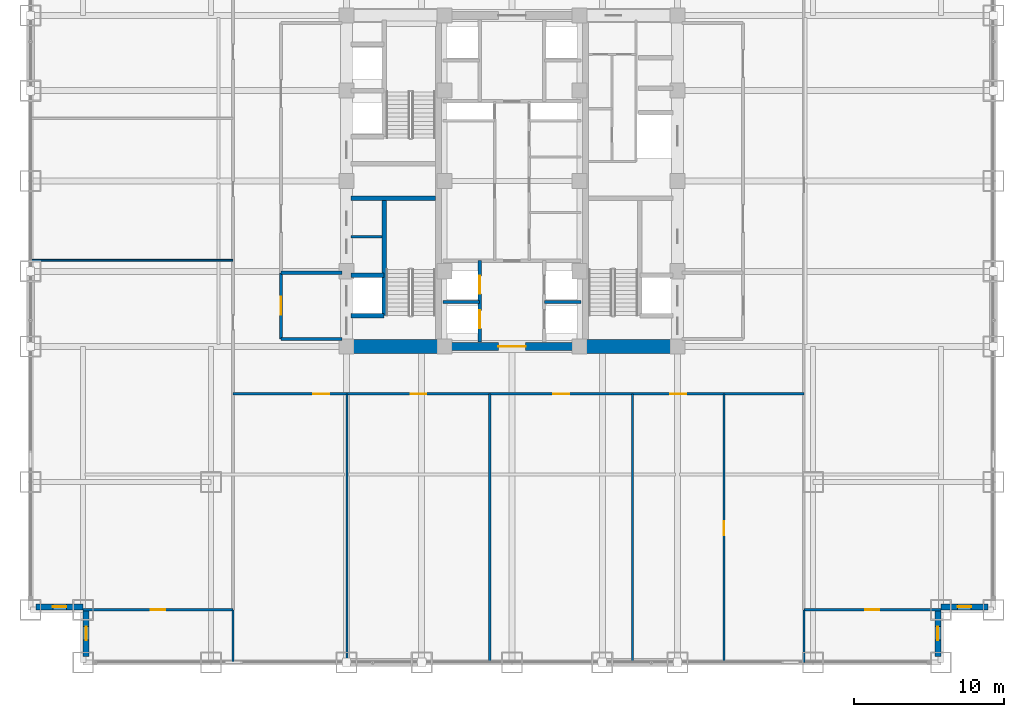
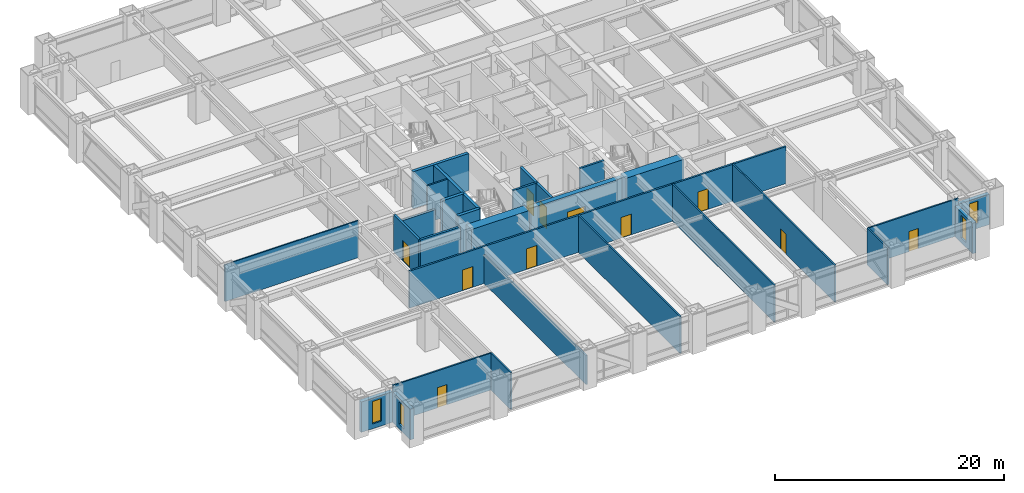
# One storey, part 23 of 27: 28 walls, 11 doors, 4 windows, 15 openings.
"""IFC4 building model written with IfcOpenShell, lengths in metres."""

from ifc_helpers import new_model, si_unit, direction, frame, frame_2d, origin, place, context, subcontext, project, spatial, rectangle, extrude, source, transform, mapped, material, layer, layer_set, type_object, element, fill, save


model = new_model("IFC4")

# Units and contexts
model_context = context("Model", 3, precision=1e-05, world=origin(), true_north=direction((0.0, 1.0)))
body_context = subcontext(model_context, "Body", "Model", "MODEL_VIEW")
ifc_project = project(units=[si_unit("LENGTHUNIT", "METRE"), si_unit("AREAUNIT", "SQUARE_METRE"), si_unit("VOLUMEUNIT", "CUBIC_METRE"), si_unit("PLANEANGLEUNIT", "RADIAN"), si_unit("MASSUNIT", "GRAM", prefix="KILO")], contexts=[model_context])

# Site, building, storey
site_placement = place(None, origin())
site = spatial("IfcSite", under=ifc_project, at=site_placement, CompositionType="ELEMENT")
building_placement = place(site_placement, origin())
building = spatial("IfcBuilding", under=site, at=building_placement, Name="Khorayat Bourse Tower", CompositionType="ELEMENT")
storey_placement = place(building_placement, frame((0.0, 0.0, 53.60009765625)))
storey = spatial("IfcBuildingStorey", under=building, at=storey_placement, Name="L11", CompositionType="ELEMENT", Elevation=53.60009765625)

# Walls
ifc_material_1 = material(Name="Concrete C72/90", Category="concrete")
ifc_layer_1 = layer(ifc_material_1, 0.89990234375)
ifc_layer_set_1 = layer_set([ifc_layer_1], Name="Concrete C72/90")
wall_type_1 = type_object("IfcWallType", Name="WAL-CORE-900", PredefinedType="SHEAR", material=ifc_layer_set_1)
shared_shape_1 = source(origin(), body_context, "Body", "SweptSolid", [
    extrude(rectangle(XDim=5.849853515625, YDim=0.89990234375, at=frame_2d((2.9248046875, 0.0))), origin(), (0.0, 0.0, 1.0), 3.93994140625),
])
for number, where, z_axis, x_axis, name in (
    (1, (-10.699951171875, -11.0, 0.0), (0.0, 0.0, 1.0), (1.0, 0.0, 0.0), "L11 Core Shear Wall PIER-WS"),
    (2, (4.85009765625, -11.0, 0.0), (0.0, 0.0, 1.0), (1.0, 0.0, 0.0), "L11 Core Shear Wall PIER-ES"),
):
    element("IfcWall", number, at=place(storey_placement, frame(where, z_axis=z_axis, x_axis=x_axis)), inside=storey, type_object=wall_type_1, Name=name, PredefinedType="SHEAR", context=body_context, shape_type="MappedRepresentation", body=[
        mapped(shared_shape_1, transform((0.0, 0.0, 0.0), scale=1.0)),
    ])
ifc_material_2 = material(Name="Concrete C50/60", Category="concrete")
ifc_layer_2 = layer(ifc_material_2, 0.300048828125)
ifc_layer_set_2 = layer_set([ifc_layer_2], Name="Concrete C50/60")
wall_type_2 = type_object("IfcWallType", Name="WAL-SHAFT-300", PredefinedType="SHEAR", material=ifc_layer_set_2)
shared_shape_2 = source(origin(), body_context, "Body", "SweptSolid", [
    extrude(rectangle(XDim=5.599853515625, YDim=0.300048828125, at=frame_2d((2.7998046875, 0.0))), origin(), (0.0, 0.0, 1.0), 3.93994140625),
])
wall_1_placement = place(storey_placement, frame((-10.699951171875, -1.14990234375, 0.0), z_axis=(0.0, 0.0, 1.0), x_axis=(1.0, 0.0, 0.0)))
element("IfcWall", 3, at=wall_1_placement, inside=storey, type_object=wall_type_2, Name="L11 Core Shear Wall ST1-DIV", PredefinedType="SHEAR", context=body_context, shape_type="MappedRepresentation", body=[
    mapped(shared_shape_2, transform((0.0, 0.0, 0.0), scale=1.0)),
])

# Wall, opening, door
ifc_material_3 = material(Name="Concrete C52/65", Category="concrete")
ifc_layer_3 = layer(ifc_material_3, 0.5)
ifc_layer_set_3 = layer_set([ifc_layer_3], Name="Concrete C52/65")
wall_type_3 = type_object("IfcWallType", Name="WAL-CORE-500", PredefinedType="SHEAR", material=ifc_layer_set_3)
shared_shape_3 = source(origin(), body_context, "Body", "SweptSolid", [
    extrude(rectangle(XDim=9.2001953125, YDim=0.5, at=frame_2d((4.60009765625, 0.0))), origin(), (0.0, 0.0, 1.0), 3.93994140625),
])
wall_2_placement = place(storey_placement, frame((-4.60009765625, -11.0, 0.0), z_axis=(0.0, 0.0, 1.0), x_axis=(1.0, 0.0, 0.0)))
wall_2 = element("IfcWall", 4, at=wall_2_placement, inside=storey, type_object=wall_type_3, Name="L11 Core Shear Wall CORE-S", PredefinedType="SHEAR", context=body_context, shape_type="MappedRepresentation", body=[
    mapped(shared_shape_3, transform((0.0, 0.0, 0.0), scale=1.0)),
])
shared_shape_4 = source(origin(), body_context, "Body", "SweptSolid", [
    extrude(rectangle(XDim=1.800048828125, YDim=2.25, at=frame_2d((0.89990234375, 1.125))), frame((0.0, 0.260009765625, 0.0), z_axis=(0.0, -1.0, 0.0), x_axis=(1.0, 0.0, 0.0)), (0.0, 0.0, 1.0), 0.52001953125),
])
opening_1_placement = place(wall_2_placement, frame((3.699951171875, 0.0, 0.0)))
opening_1 = element("IfcOpeningElement", 5, at=opening_1_placement, cuts=wall_2, Name="Opening DI-03", PredefinedType="OPENING", context=body_context, shape_type="MappedRepresentation", body=[
    mapped(shared_shape_4, transform((0.0, 0.0, 0.0), scale=1.0)),
])
ifc_material_4 = material(Name="Fire-rated hardwood vision-panel double leaf", Category="wood")
door_type_1 = type_object("IfcDoorType", Name="DR-INT-CORR-1800", OperationType="NOTDEFINED", PredefinedType="DOOR", material=ifc_material_4)
shared_shape_5 = source(origin(), body_context, "Body", "SweptSolid", [
    extrude(rectangle(XDim=1.800048828125, YDim=2.25, at=frame_2d((0.89990234375, 1.125))), frame((0.0, 0.02490234375, 0.0), z_axis=(0.0, -1.0, 0.0), x_axis=(1.0, 0.0, 0.0)), (0.0, 0.0, 1.0), 0.050048828125),
])
door_1_placement = place(opening_1_placement, origin())
door_1 = element("IfcDoor", 6, at=door_1_placement, inside=storey, type_object=door_type_1, Name="L11 Low-Rise Lift Lobby Door", OperationType="SINGLE_SWING_LEFT", OverallHeight=2.25, OverallWidth=1.800048828125, PredefinedType="DOOR", context=body_context, shape_type="MappedRepresentation", body=[
    mapped(shared_shape_5, transform((0.0, 0.0, 0.0), scale=1.0)),
])
fill(opening_1, door_1)

# Wall, opening, window
ifc_material_5 = material(Name="Precast concrete C45/55", Category="concrete")
ifc_layer_4 = layer(ifc_material_5, 0.3798828125)
ifc_layer_set_4 = layer_set([ifc_layer_4], Name="Precast concrete C45/55")
wall_type_4 = type_object("IfcWallType", Name="WAL-EXT-STONE-380", PredefinedType="STANDARD", material=ifc_layer_set_4)
shared_shape_6 = source(origin(), body_context, "Body", "SweptSolid", [
    extrude(rectangle(XDim=3.1201171875, YDim=0.3798828125, at=frame_2d((1.56005859375, 0.0))), origin(), (0.0, 0.0, 1.0), 3.244873046875),
])
wall_3_placement = place(storey_placement, frame((-28.5, -28.31005859375, 0.0), z_axis=(0.0, 0.0, 1.0), x_axis=(-1.0, 0.0, 0.0)))
wall_3 = element("IfcWall", 7, at=wall_3_placement, inside=storey, type_object=wall_type_4, Name="L11 Re-Entrant Notch Limestone Wall SW-H", PredefinedType="STANDARD", context=body_context, shape_type="MappedRepresentation", body=[
    mapped(shared_shape_6, transform((0.0, 0.0, 0.0), scale=1.0)),
])
shared_shape_7 = source(origin(), body_context, "Body", "SweptSolid", [
    extrude(rectangle(XDim=0.89990234375, YDim=2.39990234375, at=frame_2d((0.449951171875, 1.199951171875))), frame((0.0, 0.199951171875, 0.0), z_axis=(0.0, -1.0, 0.0), x_axis=(1.0, 0.0, 0.0)), (0.0, 0.0, 1.0), 0.39990234375),
])
opening_2_placement = place(wall_3_placement, frame((1.110107421875, 0.0, 0.5)))
opening_2 = element("IfcOpeningElement", 8, at=opening_2_placement, cuts=wall_3, Name="Opening WN-03", PredefinedType="OPENING", context=body_context, shape_type="MappedRepresentation", body=[
    mapped(shared_shape_7, transform((0.0, 0.0, 0.0), scale=1.0)),
])
ifc_material_6 = material(Name="Deep-reveal solar-control double glazing", Category="glass")
window_type = type_object("IfcWindowType", Name="WIN-SLOT-900x2400", PartitioningType="SINGLE_PANEL", PredefinedType="WINDOW", material=ifc_material_6)
shared_shape_8 = source(origin(), body_context, "Body", "SweptSolid", [
    extrude(rectangle(XDim=0.89990234375, YDim=2.39990234375, at=frame_2d((0.449951171875, 1.199951171875))), frame((0.0, 0.030029296875, 0.0), z_axis=(0.0, -1.0, 0.0), x_axis=(1.0, 0.0, 0.0)), (0.0, 0.0, 1.0), 0.06005859375),
])
window_1_placement = place(opening_2_placement, origin())
window_1 = element("IfcWindow", 9, at=window_1_placement, inside=storey, type_object=window_type, Name="L11 Facade Window 1", OverallHeight=2.39990234375, OverallWidth=0.89990234375, PartitioningType="SINGLE_PANEL", PredefinedType="WINDOW", context=body_context, shape_type="MappedRepresentation", body=[
    mapped(shared_shape_8, transform((0.0, 0.0, 0.0), scale=1.0)),
])
fill(opening_2, window_1)

wall_4_placement = place(storey_placement, frame((-28.31005859375, -31.6201171875, 0.0), z_axis=(0.0, 0.0, 1.0), x_axis=(0.0, 1.0, 0.0)))
wall_4 = element("IfcWall", 10, at=wall_4_placement, inside=storey, type_object=wall_type_4, Name="L11 Re-Entrant Notch Limestone Wall SW-V", PredefinedType="STANDARD", context=body_context, shape_type="MappedRepresentation", body=[
    mapped(shared_shape_6, transform((0.0, 0.0, 0.0), scale=1.0)),
])
opening_3_placement = place(wall_4_placement, frame((1.110107421875, 0.0, 0.5)))
opening_3 = element("IfcOpeningElement", 11, at=opening_3_placement, cuts=wall_4, Name="Opening WN-03", PredefinedType="OPENING", context=body_context, shape_type="MappedRepresentation", body=[
    mapped(shared_shape_7, transform((0.0, 0.0, 0.0), scale=1.0)),
])
window_2_placement = place(opening_3_placement, origin())
window_2 = element("IfcWindow", 12, at=window_2_placement, inside=storey, type_object=window_type, Name="L11 Facade Window 1", OverallHeight=2.39990234375, OverallWidth=0.89990234375, PartitioningType="SINGLE_PANEL", PredefinedType="WINDOW", context=body_context, shape_type="MappedRepresentation", body=[
    mapped(shared_shape_8, transform((0.0, 0.0, 0.0), scale=1.0)),
])
fill(opening_3, window_2)

wall_5_placement = place(storey_placement, frame((28.31005859375, -31.6201171875, 0.0), z_axis=(0.0, 0.0, 1.0), x_axis=(0.0, 1.0, 0.0)))
wall_5 = element("IfcWall", 13, at=wall_5_placement, inside=storey, type_object=wall_type_4, Name="L11 Re-Entrant Notch Limestone Wall SE-V", PredefinedType="STANDARD", context=body_context, shape_type="MappedRepresentation", body=[
    mapped(shared_shape_6, transform((0.0, 0.0, 0.0), scale=1.0)),
])
opening_4_placement = place(wall_5_placement, frame((1.110107421875, 0.0, 0.5)))
opening_4 = element("IfcOpeningElement", 14, at=opening_4_placement, cuts=wall_5, Name="Opening WN-03", PredefinedType="OPENING", context=body_context, shape_type="MappedRepresentation", body=[
    mapped(shared_shape_7, transform((0.0, 0.0, 0.0), scale=1.0)),
])
window_3_placement = place(opening_4_placement, origin())
window_3 = element("IfcWindow", 15, at=window_3_placement, inside=storey, type_object=window_type, Name="L11 Facade Window 1", OverallHeight=2.39990234375, OverallWidth=0.89990234375, PartitioningType="SINGLE_PANEL", PredefinedType="WINDOW", context=body_context, shape_type="MappedRepresentation", body=[
    mapped(shared_shape_8, transform((0.0, 0.0, 0.0), scale=1.0)),
])
fill(opening_4, window_3)

wall_6_placement = place(storey_placement, frame((28.5, -28.31005859375, 0.0), z_axis=(0.0, 0.0, 1.0), x_axis=(1.0, 0.0, 0.0)))
wall_6 = element("IfcWall", 16, at=wall_6_placement, inside=storey, type_object=wall_type_4, Name="L11 Re-Entrant Notch Limestone Wall SE-H", PredefinedType="STANDARD", context=body_context, shape_type="MappedRepresentation", body=[
    mapped(shared_shape_6, transform((0.0, 0.0, 0.0), scale=1.0)),
])
opening_5_placement = place(wall_6_placement, frame((1.110107421875, 0.0, 0.5)))
opening_5 = element("IfcOpeningElement", 17, at=opening_5_placement, cuts=wall_6, Name="Opening WN-03", PredefinedType="OPENING", context=body_context, shape_type="MappedRepresentation", body=[
    mapped(shared_shape_7, transform((0.0, 0.0, 0.0), scale=1.0)),
])
window_4_placement = place(opening_5_placement, origin())
window_4 = element("IfcWindow", 18, at=window_4_placement, inside=storey, type_object=window_type, Name="L11 Facade Window 1", OverallHeight=2.39990234375, OverallWidth=0.89990234375, PartitioningType="SINGLE_PANEL", PredefinedType="WINDOW", context=body_context, shape_type="MappedRepresentation", body=[
    mapped(shared_shape_8, transform((0.0, 0.0, 0.0), scale=1.0)),
])
fill(opening_5, window_4)

# Walls
shared_shape_9 = source(origin(), body_context, "Body", "SweptSolid", [
    extrude(rectangle(XDim=7.800048828125, YDim=0.300048828125, at=frame_2d((3.89990234375, 0.0))), origin(), (0.0, 0.0, 1.0), 3.93994140625),
])
wall_7_placement = place(storey_placement, frame((-8.5, -8.949951171875, 0.0), z_axis=(0.0, 0.0, 1.0), x_axis=(0.0, 1.0, 0.0)))
element("IfcWall", 19, at=wall_7_placement, inside=storey, type_object=wall_type_2, Name="L11 Partition WAL-L11-WPIER-SP", PredefinedType="SHEAR", context=body_context, shape_type="MappedRepresentation", body=[
    mapped(shared_shape_9, transform((0.0, 0.0, 0.0), scale=1.0)),
])
shared_shape_10 = source(origin(), body_context, "Body", "SweptSolid", [
    extrude(rectangle(XDim=2.199951171875, YDim=0.300048828125, at=frame_2d((1.10009765625, 0.0))), origin(), (0.0, 0.0, 1.0), 3.93994140625),
])
for number, where, z_axis, x_axis, name in (
    (20, (-10.699951171875, -8.949951171875, 0.0), (0.0, 0.0, 1.0), (1.0, 0.0, 0.0), "L11 Partition WAL-L11-WPIER-FF1S"),
    (21, (-10.699951171875, -6.25, 0.0), (0.0, 0.0, 1.0), (1.0, 0.0, 0.0), "L11 Partition WAL-L11-WPIER-FF1N"),
):
    element("IfcWall", number, at=place(storey_placement, frame(where, z_axis=z_axis, x_axis=x_axis)), inside=storey, type_object=wall_type_2, Name=name, PredefinedType="SHEAR", context=body_context, shape_type="MappedRepresentation", body=[
        mapped(shared_shape_10, transform((0.0, 0.0, 0.0), scale=1.0)),
    ])
ifc_material_7 = material(Name="Gypsum plasterboard twin-frame partition")
ifc_layer_5 = layer(ifc_material_7, 0.14990234375)
ifc_layer_set_5 = layer_set([ifc_layer_5], Name="Gypsum plasterboard twin-frame partition")
wall_type_5 = type_object("IfcWallType", Name="WAL-PART-SUITE-150", PredefinedType="PARTITIONING", material=ifc_layer_set_5)
shared_shape_11 = source(origin(), body_context, "Body", "SweptSolid", [
    extrude(rectangle(XDim=2.050048828125, YDim=0.14990234375, at=frame_2d((1.02490234375, 0.0))), origin(), (0.0, 0.0, 1.0), 3.93994140625),
])
wall_8_placement = place(storey_placement, frame((-10.699951171875, -3.699951171875, 0.0), z_axis=(0.0, 0.0, 1.0), x_axis=(1.0, 0.0, 0.0)))
element("IfcWall", 22, at=wall_8_placement, inside=storey, type_object=wall_type_5, Name="L11 Partition WAL-L11-WSRV-D1", PredefinedType="PARTITIONING", context=body_context, shape_type="MappedRepresentation", body=[
    mapped(shared_shape_11, transform((0.0, 0.0, 0.0), scale=1.0)),
])
ifc_material_8 = material(Name="Aerated concrete blockwork", Category="masonry")
ifc_layer_6 = layer(ifc_material_8, 0.219970703125)
ifc_layer_set_6 = layer_set([ifc_layer_6], Name="Aerated concrete blockwork")
wall_type_6 = type_object("IfcWallType", Name="WAL-PART-FF-220", PredefinedType="PARTITIONING", material=ifc_layer_set_6)
shared_shape_12 = source(origin(), body_context, "Body", "SweptSolid", [
    extrude(rectangle(XDim=4.050048828125, YDim=0.219970703125, at=frame_2d((2.02490234375, 0.0))), origin(), (0.0, 0.0, 1.0), 3.93994140625),
])
wall_9_placement = place(storey_placement, frame((-15.35009765625, -10.5, 0.0), z_axis=(0.0, 0.0, 1.0), x_axis=(1.0, 0.0, 0.0)))
element("IfcWall", 23, at=wall_9_placement, inside=storey, type_object=wall_type_6, Name="L11 Partition WAL-L11-FFLW-S", PredefinedType="PARTITIONING", context=body_context, shape_type="MappedRepresentation", body=[
    mapped(shared_shape_12, transform((0.0, 0.0, 0.0), scale=1.0)),
])
shared_shape_13 = source(origin(), body_context, "Body", "SweptSolid", [
    extrude(rectangle(XDim=4.050048828125, YDim=0.219970703125, at=frame_2d((2.02490234375, 0.0))), origin(), (0.0, 0.0, 1.0), 3.0849609375),
])
wall_10_placement = place(storey_placement, frame((-15.35009765625, -6.10009765625, 0.0), z_axis=(0.0, 0.0, 1.0), x_axis=(1.0, 0.0, 0.0)))
element("IfcWall", 24, at=wall_10_placement, inside=storey, type_object=wall_type_6, Name="L11 Partition WAL-L11-FFLW-N", PredefinedType="PARTITIONING", context=body_context, shape_type="MappedRepresentation", body=[
    mapped(shared_shape_13, transform((0.0, 0.0, 0.0), scale=1.0)),
])

# Wall, opening, door
shared_shape_14 = source(origin(), body_context, "Body", "SweptSolid", [
    extrude(rectangle(XDim=4.39990234375, YDim=0.219970703125, at=frame_2d((2.199951171875, 0.0))), origin(), (0.0, 0.0, 1.0), 3.93994140625),
])
wall_11_placement = place(storey_placement, frame((-15.35009765625, -10.5, 0.0), z_axis=(0.0, 0.0, 1.0), x_axis=(0.0, 1.0, 0.0)))
wall_11 = element("IfcWall", 25, at=wall_11_placement, inside=storey, type_object=wall_type_6, Name="L11 Partition WAL-L11-FFLW-W", PredefinedType="PARTITIONING", context=body_context, shape_type="MappedRepresentation", body=[
    mapped(shared_shape_14, transform((0.0, 0.0, 0.0), scale=1.0)),
])
shared_shape_15 = source(origin(), body_context, "Body", "SweptSolid", [
    extrude(rectangle(XDim=1.199951171875, YDim=2.199951171875, at=frame_2d((0.60009765625, 1.10009765625))), frame((0.0, 0.119873046875, 0.0), z_axis=(0.0, -1.0, 0.0), x_axis=(1.0, 0.0, 0.0)), (0.0, 0.0, 1.0), 0.239990234375),
])
opening_6_placement = place(wall_11_placement, frame((1.60009765625, 0.0, 0.0)))
opening_6 = element("IfcOpeningElement", 26, at=opening_6_placement, cuts=wall_11, Name="Opening DI-02", PredefinedType="OPENING", context=body_context, shape_type="MappedRepresentation", body=[
    mapped(shared_shape_15, transform((0.0, 0.0, 0.0), scale=1.0)),
])
ifc_material_9 = material(Name="Fire-rated steel double-seal leaf", Category="steel")
door_type_2 = type_object("IfcDoorType", Name="DR-INT-FFLOBBY-1200", OperationType="NOTDEFINED", PredefinedType="DOOR", material=ifc_material_9)
shared_shape_16 = source(origin(), body_context, "Body", "SweptSolid", [
    extrude(rectangle(XDim=1.199951171875, YDim=2.199951171875, at=frame_2d((0.60009765625, 1.10009765625))), frame((0.0, 0.02490234375, 0.0), z_axis=(0.0, -1.0, 0.0), x_axis=(1.0, 0.0, 0.0)), (0.0, 0.0, 1.0), 0.050048828125),
])
door_2_placement = place(opening_6_placement, origin())
door_2 = element("IfcDoor", 27, at=door_2_placement, inside=storey, type_object=door_type_2, Name="L11 West Firefighting Lobby Door", OperationType="SINGLE_SWING_LEFT", OverallHeight=2.199951171875, OverallWidth=1.199951171875, PredefinedType="DOOR", context=body_context, shape_type="MappedRepresentation", body=[
    mapped(shared_shape_16, transform((0.0, 0.0, 0.0), scale=1.0)),
])
fill(opening_6, door_2)

# Wall, openings, doors
shared_shape_17 = source(origin(), body_context, "Body", "SweptSolid", [
    extrude(rectangle(XDim=5.39990234375, YDim=0.25, at=frame_2d((2.699951171875, 0.0))), origin(), (0.0, 0.0, 1.0), 3.93994140625),
])
wall_12_placement = place(storey_placement, frame((-2.14990234375, -10.699951171875, 0.0), z_axis=(0.0, 0.0, 1.0), x_axis=(0.0, 1.0, 0.0)))
wall_12 = element("IfcWall", 28, at=wall_12_placement, inside=storey, type_object=wall_type_2, Name="L11 Partition WAL-L11-B1-W", PredefinedType="SHEAR", context=body_context, shape_type="MappedRepresentation", body=[
    mapped(shared_shape_17, transform((0.0, 0.0, 0.0), scale=1.0)),
])
shared_shape_18 = source(origin(), body_context, "Body", "SweptSolid", [
    extrude(rectangle(XDim=1.199951171875, YDim=2.300048828125, at=frame_2d((0.60009765625, 1.14990234375))), frame((0.0, 0.135009765625, 0.0), z_axis=(0.0, -1.0, 0.0), x_axis=(1.0, 0.0, 0.0)), (0.0, 0.0, 1.0), 0.27001953125),
])
opening_7_placement = place(wall_12_placement, frame((0.89990234375, 0.0, 0.0)))
opening_7 = element("IfcOpeningElement", 29, at=opening_7_placement, cuts=wall_12, Name="Opening LD-01", PredefinedType="OPENING", context=body_context, shape_type="MappedRepresentation", body=[
    mapped(shared_shape_18, transform((0.0, 0.0, 0.0), scale=1.0)),
])
opening_8_placement = place(wall_12_placement, frame((3.199951171875, 0.0, 0.0)))
opening_8 = element("IfcOpeningElement", 30, at=opening_8_placement, cuts=wall_12, Name="Opening LD-01", PredefinedType="OPENING", context=body_context, shape_type="MappedRepresentation", body=[
    mapped(shared_shape_18, transform((0.0, 0.0, 0.0), scale=1.0)),
])
ifc_material_10 = material(Name="Brushed bronze stainless-steel sliding door", Category="steel")
door_type_3 = type_object("IfcDoorType", Name="DR-LIFT-PASS-1200", OperationType="NOTDEFINED", PredefinedType="DOOR", material=ifc_material_10)
shared_shape_19 = source(origin(), body_context, "Body", "SweptSolid", [
    extrude(rectangle(XDim=1.199951171875, YDim=2.300048828125, at=frame_2d((0.60009765625, 1.14990234375))), frame((0.0, 0.02490234375, 0.0), z_axis=(0.0, -1.0, 0.0), x_axis=(1.0, 0.0, 0.0)), (0.0, 0.0, 1.0), 0.050048828125),
])
door_3_placement = place(opening_7_placement, origin())
door_3 = element("IfcDoor", 31, at=door_3_placement, inside=storey, type_object=door_type_3, Name="L11 Lift PL-L1 Sliding Landing Door", OperationType="SLIDING_TO_LEFT", OverallHeight=2.300048828125, OverallWidth=1.199951171875, PredefinedType="DOOR", context=body_context, shape_type="MappedRepresentation", body=[
    mapped(shared_shape_19, transform((0.0, 0.0, 0.0), scale=1.0)),
])
fill(opening_7, door_3)
door_4_placement = place(opening_8_placement, origin())
door_4 = element("IfcDoor", 32, at=door_4_placement, inside=storey, type_object=door_type_3, Name="L11 Lift PL-L3 Sliding Landing Door", OperationType="SLIDING_TO_LEFT", OverallHeight=2.300048828125, OverallWidth=1.199951171875, PredefinedType="DOOR", context=body_context, shape_type="MappedRepresentation", body=[
    mapped(shared_shape_19, transform((0.0, 0.0, 0.0), scale=1.0)),
])
fill(opening_8, door_4)

# Walls
shared_shape_20 = source(origin(), body_context, "Body", "SweptSolid", [
    extrude(rectangle(XDim=2.4501953125, YDim=0.199951171875, at=frame_2d((1.22509765625, 0.0))), origin(), (0.0, 0.0, 1.0), 3.93994140625),
])
for number, where, z_axis, x_axis, name in (
    (33, (-4.60009765625, -8.050048828125, 0.0), (0.0, 0.0, 1.0), (1.0, 0.0, 0.0), "L11 Partition WAL-L11-B1-MW"),
    (34, (2.14990234375, -8.050048828125, 0.0), (0.0, 0.0, 1.0), (1.0, 0.0, 0.0), "L11 Partition WAL-L11-B1-ME"),
):
    element("IfcWall", number, at=place(storey_placement, frame(where, z_axis=z_axis, x_axis=x_axis)), inside=storey, type_object=wall_type_2, Name=name, PredefinedType="SHEAR", context=body_context, shape_type="MappedRepresentation", body=[
        mapped(shared_shape_20, transform((0.0, 0.0, 0.0), scale=1.0)),
    ])
shared_shape_21 = source(origin(), body_context, "Body", "SweptSolid", [
    extrude(rectangle(XDim=3.5, YDim=0.14990234375, at=frame_2d((1.75, 0.0))), origin(), (0.0, 0.0, 1.0), 3.93994140625),
])
for number, where, z_axis, x_axis, name in (
    (35, (-18.550048828125, -32.0, 0.0), (0.0, 0.0, 1.0), (0.0, 1.0, 0.0), "L11 Partition WAL-L11-SCW-END"),
    (36, (19.39990234375, -32.0, 0.0), (0.0, 0.0, 1.0), (0.0, 1.0, 0.0), "L11 Partition WAL-L11-SCE-END"),
):
    element("IfcWall", number, at=place(storey_placement, frame(where, z_axis=z_axis, x_axis=x_axis)), inside=storey, type_object=wall_type_5, Name=name, PredefinedType="PARTITIONING", context=body_context, shape_type="MappedRepresentation", body=[
        mapped(shared_shape_21, transform((0.0, 0.0, 0.0), scale=1.0)),
    ])
ifc_material_11 = material(Name="Gypsum plasterboard partition")
ifc_layer_7 = layer(ifc_material_11, 0.125)
ifc_layer_set_7 = layer_set([ifc_layer_7], Name="Gypsum plasterboard partition")
wall_type_7 = type_object("IfcWallType", Name="WAL-PART-ROOM-125", PredefinedType="PARTITIONING", material=ifc_layer_set_7)
shared_shape_22 = source(origin(), body_context, "Body", "SweptSolid", [
    extrude(rectangle(XDim=13.449951171875, YDim=0.125, at=frame_2d((6.72509765625, 0.0))), origin(), (0.0, 0.0, 1.0), 3.93994140625),
])
wall_13_placement = place(storey_placement, frame((-32.0, -5.27001953125, 0.0), z_axis=(0.0, 0.0, 1.0), x_axis=(1.0, 0.0, 0.0)))
element("IfcWall", 37, at=wall_13_placement, inside=storey, type_object=wall_type_7, Name="L11 Partition WAL-L11-WDV-1", PredefinedType="PARTITIONING", context=body_context, shape_type="MappedRepresentation", body=[
    mapped(shared_shape_22, transform((0.0, 0.0, 0.0), scale=1.0)),
])

# Wall, opening, door
shared_shape_23 = source(origin(), body_context, "Body", "SweptSolid", [
    extrude(rectangle(XDim=9.949951171875, YDim=0.14990234375, at=frame_2d((4.97509765625, 0.0))), origin(), (0.0, 0.0, 1.0), 3.93994140625),
])
wall_14_placement = place(storey_placement, frame((-28.5, -28.5, 0.0), z_axis=(0.0, 0.0, 1.0), x_axis=(1.0, 0.0, 0.0)))
wall_14 = element("IfcWall", 38, at=wall_14_placement, inside=storey, type_object=wall_type_5, Name="L11 Partition WAL-L11-CSW", PredefinedType="PARTITIONING", context=body_context, shape_type="MappedRepresentation", body=[
    mapped(shared_shape_23, transform((0.0, 0.0, 0.0), scale=1.0)),
])
shared_shape_24 = source(origin(), body_context, "Body", "SweptSolid", [
    extrude(rectangle(XDim=0.949951171875, YDim=2.14990234375, at=frame_2d((0.47509765625, 1.074951171875))), frame((0.0, 0.0849609375, 0.0), z_axis=(0.0, -1.0, 0.0), x_axis=(1.0, 0.0, 0.0)), (0.0, 0.0, 1.0), 0.169921875),
])
opening_9_placement = place(wall_14_placement, frame((4.5, 0.0, 0.0)))
opening_9 = element("IfcOpeningElement", 39, at=opening_9_placement, cuts=wall_14, Name="Opening DI-05", PredefinedType="OPENING", context=body_context, shape_type="MappedRepresentation", body=[
    mapped(shared_shape_24, transform((0.0, 0.0, 0.0), scale=1.0)),
])
ifc_material_12 = material(Name="Acoustic oak veneer office door")
door_type_4 = type_object("IfcDoorType", Name="DR-INT-OFFICE-950", OperationType="NOTDEFINED", PredefinedType="DOOR", material=ifc_material_12)
shared_shape_25 = source(origin(), body_context, "Body", "SweptSolid", [
    extrude(rectangle(XDim=0.949951171875, YDim=2.14990234375, at=frame_2d((0.47509765625, 1.074951171875))), frame((0.0, 0.02490234375, 0.0), z_axis=(0.0, -1.0, 0.0), x_axis=(1.0, 0.0, 0.0)), (0.0, 0.0, 1.0), 0.050048828125),
])
door_5_placement = place(opening_9_placement, origin())
door_5 = element("IfcDoor", 40, at=door_5_placement, inside=storey, type_object=door_type_4, Name="L11 South-West Corner Office Door", OperationType="SINGLE_SWING_LEFT", OverallHeight=2.14990234375, OverallWidth=0.949951171875, PredefinedType="DOOR", context=body_context, shape_type="MappedRepresentation", body=[
    mapped(shared_shape_25, transform((0.0, 0.0, 0.0), scale=1.0)),
])
fill(opening_9, door_5)

# Walls
shared_shape_26 = source(origin(), body_context, "Body", "SweptSolid", [
    extrude(rectangle(XDim=17.85009765625, YDim=0.14990234375, at=frame_2d((8.925048828125, 0.0))), origin(), (0.0, 0.0, 1.0), 3.0849609375),
])
wall_15_placement = place(storey_placement, frame((-10.9599609375, -32.0, 0.0), z_axis=(0.0, 0.0, 1.0), x_axis=(0.0, 1.0, 0.0)))
element("IfcWall", 41, at=wall_15_placement, inside=storey, type_object=wall_type_5, Name="L11 Partition WAL-L11-SDV-1", PredefinedType="PARTITIONING", context=body_context, shape_type="MappedRepresentation", body=[
    mapped(shared_shape_26, transform((0.0, 0.0, 0.0), scale=1.0)),
])
shared_shape_27 = source(origin(), body_context, "Body", "SweptSolid", [
    extrude(rectangle(XDim=17.85009765625, YDim=0.14990234375, at=frame_2d((8.925048828125, 0.0))), origin(), (0.0, 0.0, 1.0), 3.93994140625),
])
for number, where, z_axis, x_axis, name in (
    (42, (-1.472412109375, -32.0, 0.0), (0.0, 0.0, 1.0), (0.0, 1.0, 0.0), "L11 Partition WAL-L11-SDV-2"),
    (43, (8.014892578125, -32.0, 0.0), (0.0, 0.0, 1.0), (0.0, 1.0, 0.0), "L11 Partition WAL-L11-SDV-3"),
):
    element("IfcWall", number, at=place(storey_placement, frame(where, z_axis=z_axis, x_axis=x_axis)), inside=storey, type_object=wall_type_5, Name=name, PredefinedType="PARTITIONING", context=body_context, shape_type="MappedRepresentation", body=[
        mapped(shared_shape_27, transform((0.0, 0.0, 0.0), scale=1.0)),
    ])

# Wall, opening, door
wall_16_placement = place(storey_placement, frame((14.0869140625, -32.0, 0.0), z_axis=(0.0, 0.0, 1.0), x_axis=(0.0, 1.0, 0.0)))
wall_16 = element("IfcWall", 44, at=wall_16_placement, inside=storey, type_object=wall_type_5, Name="L11 Partition WAL-L11-SDV-4", PredefinedType="PARTITIONING", context=body_context, shape_type="MappedRepresentation", body=[
    mapped(shared_shape_27, transform((0.0, 0.0, 0.0), scale=1.0)),
])
opening_10_placement = place(wall_16_placement, frame((8.449951171875, 0.0, 0.0)))
opening_10 = element("IfcOpeningElement", 45, at=opening_10_placement, cuts=wall_16, Name="Opening DI-05", PredefinedType="OPENING", context=body_context, shape_type="MappedRepresentation", body=[
    mapped(shared_shape_24, transform((0.0, 0.0, 0.0), scale=1.0)),
])
door_6_placement = place(opening_10_placement, origin())
door_6 = element("IfcDoor", 46, at=door_6_placement, inside=storey, type_object=door_type_4, Name="L11 S Suite Link 4", OperationType="SINGLE_SWING_LEFT", OverallHeight=2.14990234375, OverallWidth=0.949951171875, PredefinedType="DOOR", context=body_context, shape_type="MappedRepresentation", body=[
    mapped(shared_shape_25, transform((0.0, 0.0, 0.0), scale=1.0)),
])
fill(opening_10, door_6)

# Wall, openings, doors
ifc_material_13 = material(Name="Gypsum plasterboard acoustic stud wall")
ifc_layer_8 = layer(ifc_material_13, 0.179931640625)
ifc_layer_set_8 = layer_set([ifc_layer_8], Name="Gypsum plasterboard acoustic stud wall")
wall_type_8 = type_object("IfcWallType", Name="WAL-PART-CORR-180", PredefinedType="PARTITIONING", material=ifc_layer_set_8)
shared_shape_28 = source(origin(), body_context, "Body", "SweptSolid", [
    extrude(rectangle(XDim=37.949951171875, YDim=0.179931640625, at=frame_2d((18.97509765625, 0.0))), origin(), (0.0, 0.0, 1.0), 3.93994140625),
])
wall_17_placement = place(storey_placement, frame((-18.550048828125, -14.14990234375, 0.0), z_axis=(0.0, 0.0, 1.0), x_axis=(1.0, 0.0, 0.0)))
wall_17 = element("IfcWall", 47, at=wall_17_placement, inside=storey, type_object=wall_type_8, Name="L11 Partition WAL-L11-SCORR", PredefinedType="PARTITIONING", context=body_context, shape_type="MappedRepresentation", body=[
    mapped(shared_shape_28, transform((0.0, 0.0, 0.0), scale=1.0)),
])
shared_shape_29 = source(origin(), body_context, "Body", "SweptSolid", [
    extrude(rectangle(XDim=1.050048828125, YDim=2.199951171875, at=frame_2d((0.52490234375, 1.10009765625))), frame((0.0, 0.099853515625, 0.0), z_axis=(0.0, -1.0, 0.0), x_axis=(1.0, 0.0, 0.0)), (0.0, 0.0, 1.0), 0.199951171875),
])
opening_11_placement = place(wall_17_placement, frame((5.344970703125, 0.0, 0.0)))
opening_11 = element("IfcOpeningElement", 48, at=opening_11_placement, cuts=wall_17, Name="Opening DI-04", PredefinedType="OPENING", context=body_context, shape_type="MappedRepresentation", body=[
    mapped(shared_shape_29, transform((0.0, 0.0, 0.0), scale=1.0)),
])
opening_12_placement = place(wall_17_placement, frame((11.80859375, 0.0, 0.0)))
opening_12 = element("IfcOpeningElement", 49, at=opening_12_placement, cuts=wall_17, Name="Opening DI-04", PredefinedType="OPENING", context=body_context, shape_type="MappedRepresentation", body=[
    mapped(shared_shape_29, transform((0.0, 0.0, 0.0), scale=1.0)),
])
opening_13_placement = place(wall_17_placement, frame((21.29638671875, 0.0, 0.0)))
opening_13 = element("IfcOpeningElement", 50, at=opening_13_placement, cuts=wall_17, Name="Opening DI-04", PredefinedType="OPENING", context=body_context, shape_type="MappedRepresentation", body=[
    mapped(shared_shape_29, transform((0.0, 0.0, 0.0), scale=1.0)),
])
opening_14_placement = place(wall_17_placement, frame((29.075927734375, 0.0, 0.0)))
opening_14 = element("IfcOpeningElement", 51, at=opening_14_placement, cuts=wall_17, Name="Opening DI-04", PredefinedType="OPENING", context=body_context, shape_type="MappedRepresentation", body=[
    mapped(shared_shape_29, transform((0.0, 0.0, 0.0), scale=1.0)),
])
ifc_material_14 = material(Name="Fire-rated oak veneer suite entrance door")
door_type_5 = type_object("IfcDoorType", Name="DR-INT-SUITE-1050", OperationType="NOTDEFINED", PredefinedType="DOOR", material=ifc_material_14)
shared_shape_30 = source(origin(), body_context, "Body", "SweptSolid", [
    extrude(rectangle(XDim=1.050048828125, YDim=2.199951171875, at=frame_2d((0.52490234375, 1.10009765625))), frame((0.0, 0.02490234375, 0.0), z_axis=(0.0, -1.0, 0.0), x_axis=(1.0, 0.0, 0.0)), (0.0, 0.0, 1.0), 0.050048828125),
])
door_7_placement = place(opening_11_placement, origin())
door_7 = element("IfcDoor", 52, at=door_7_placement, inside=storey, type_object=door_type_5, Name="L11 Executive Boardroom S1 Door", OperationType="SINGLE_SWING_RIGHT", OverallHeight=2.199951171875, OverallWidth=1.050048828125, PredefinedType="DOOR", context=body_context, shape_type="MappedRepresentation", body=[
    mapped(shared_shape_30, transform((0.0, 0.0, 0.0), scale=1.0)),
])
fill(opening_11, door_7)
door_8_placement = place(opening_12_placement, origin())
door_8 = element("IfcDoor", 53, at=door_8_placement, inside=storey, type_object=door_type_5, Name="L11 Market Committee Conference Room S2 Door", OperationType="SINGLE_SWING_LEFT", OverallHeight=2.199951171875, OverallWidth=1.050048828125, PredefinedType="DOOR", context=body_context, shape_type="MappedRepresentation", body=[
    mapped(shared_shape_30, transform((0.0, 0.0, 0.0), scale=1.0)),
])
fill(opening_12, door_8)
door_9_placement = place(opening_13_placement, origin())
door_9 = element("IfcDoor", 54, at=door_9_placement, inside=storey, type_object=door_type_5, Name="L11 Financial Training Classroom S3 Door", OperationType="SINGLE_SWING_RIGHT", OverallHeight=2.199951171875, OverallWidth=1.050048828125, PredefinedType="DOOR", context=body_context, shape_type="MappedRepresentation", body=[
    mapped(shared_shape_30, transform((0.0, 0.0, 0.0), scale=1.0)),
])
fill(opening_13, door_9)
door_10_placement = place(opening_14_placement, origin())
door_10 = element("IfcDoor", 55, at=door_10_placement, inside=storey, type_object=door_type_5, Name="L11 Brokerage Seminar Room S4 Door", OperationType="SINGLE_SWING_LEFT", OverallHeight=2.199951171875, OverallWidth=1.050048828125, PredefinedType="DOOR", context=body_context, shape_type="MappedRepresentation", body=[
    mapped(shared_shape_30, transform((0.0, 0.0, 0.0), scale=1.0)),
])
fill(opening_14, door_10)

# Wall, opening, door
shared_shape_31 = source(origin(), body_context, "Body", "SweptSolid", [
    extrude(rectangle(XDim=9.10009765625, YDim=0.14990234375, at=frame_2d((4.550048828125, 0.0))), origin(), (0.0, 0.0, 1.0), 3.93994140625),
])
wall_18_placement = place(storey_placement, frame((19.39990234375, -28.5, 0.0), z_axis=(0.0, 0.0, 1.0), x_axis=(1.0, 0.0, 0.0)))
wall_18 = element("IfcWall", 56, at=wall_18_placement, inside=storey, type_object=wall_type_5, Name="L11 Partition WAL-L11-CSE", PredefinedType="PARTITIONING", context=body_context, shape_type="MappedRepresentation", body=[
    mapped(shared_shape_31, transform((0.0, 0.0, 0.0), scale=1.0)),
])
opening_15_placement = place(wall_18_placement, frame((4.074951171875, 0.0, 0.0)))
opening_15 = element("IfcOpeningElement", 57, at=opening_15_placement, cuts=wall_18, Name="Opening DI-05", PredefinedType="OPENING", context=body_context, shape_type="MappedRepresentation", body=[
    mapped(shared_shape_24, transform((0.0, 0.0, 0.0), scale=1.0)),
])
door_11_placement = place(opening_15_placement, origin())
door_11 = element("IfcDoor", 58, at=door_11_placement, inside=storey, type_object=door_type_4, Name="L11 South-East Corner Briefing Room Door", OperationType="SINGLE_SWING_LEFT", OverallHeight=2.14990234375, OverallWidth=0.949951171875, PredefinedType="DOOR", context=body_context, shape_type="MappedRepresentation", body=[
    mapped(shared_shape_25, transform((0.0, 0.0, 0.0), scale=1.0)),
])
fill(opening_15, door_11)

save(model, "model.ifc")
